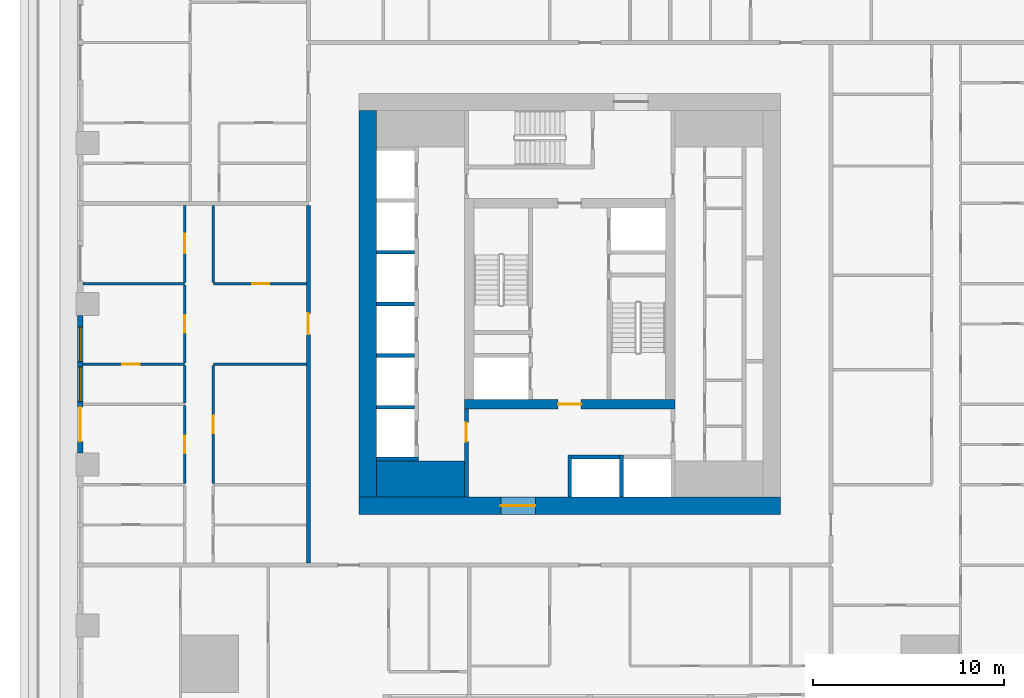
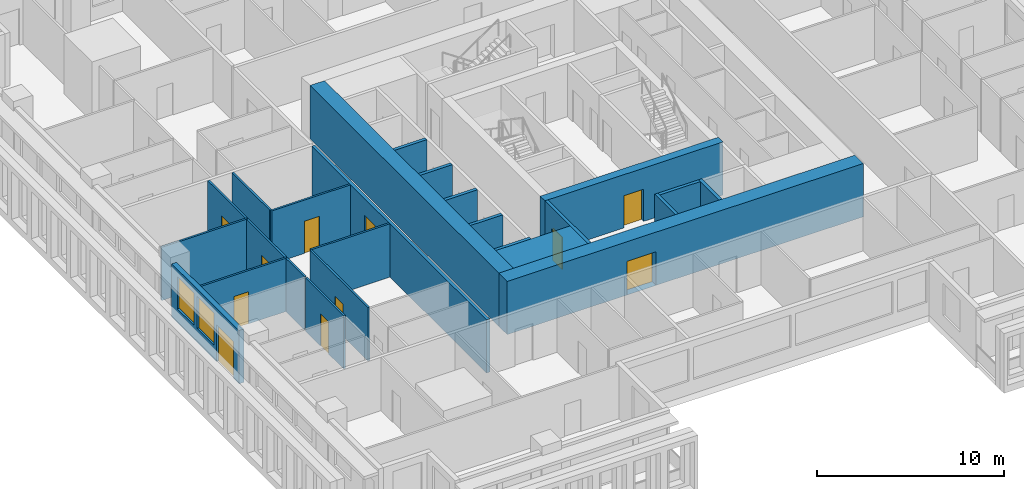
# One storey, part 3 of 15: 25 walls, 11 doors, 2 windows, 13 openings.
"""IFC4 building model written with IfcOpenShell, lengths in metres."""

from ifc_helpers import new_model, si_unit, direction, frame, frame_2d, origin, place, context, subcontext, project, spatial, rectangle, extrude, material, layer, layer_set, type_object, element, fill, save


model = new_model("IFC4")

# Units and contexts
model_context = context("Model", 3, precision=1e-05, world=origin(), true_north=direction((0.0, 1.0)))
body_context = subcontext(model_context, "Body", "Model", "MODEL_VIEW")
ifc_project = project(units=[si_unit("LENGTHUNIT", "METRE"), si_unit("AREAUNIT", "SQUARE_METRE"), si_unit("VOLUMEUNIT", "CUBIC_METRE"), si_unit("PLANEANGLEUNIT", "RADIAN"), si_unit("MASSUNIT", "GRAM", prefix="KILO")], contexts=[model_context])

# Site, building, storey
site_placement = place(None, origin())
site = spatial("IfcSite", under=ifc_project, at=site_placement, CompositionType="ELEMENT")
building_placement = place(site_placement, origin())
building = spatial("IfcBuilding", under=site, at=building_placement, Name="Khepri Terraces", CompositionType="ELEMENT")
storey_placement = place(building_placement, frame((0.0, 0.0, 54.300048828125)))
storey = spatial("IfcBuildingStorey", under=building, at=storey_placement, Name="L12", CompositionType="ELEMENT", Elevation=54.300048828125)

# Walls
ifc_material_1 = material(Name="Concrete C80/95", Category="concrete")
ifc_layer_1 = layer(ifc_material_1, 1.89990234375, Name="Concrete C80/95", Category="concrete")
ifc_layer_set_1 = layer_set([ifc_layer_1], Name="Concrete C80/95")
wall_type_1 = type_object("IfcWallType", Name="Core wall 1900 C80/95", PredefinedType="SHEAR", material=ifc_layer_set_1)
wall_1_placement = place(storey_placement, frame((-10.10009765625, -9.14990234375, 0.0), z_axis=(0.0, 0.0, 1.0), x_axis=(1.0, 0.0, 0.0)))
element("IfcWall", 1, at=wall_1_placement, inside=storey, type_object=wall_type_1, Name="Core wall PR01 L12", PredefinedType="SHEAR", context=body_context, shape_type="SweptSolid", body=[
    extrude(rectangle(XDim=4.60009765625, YDim=1.89990234375, at=frame_2d((2.300048828125, 0.0))), origin(), (0.0, 0.0, 1.0), 3.47998046875),
])
ifc_layer_2 = layer(ifc_material_1, 0.199951171875, Name="Concrete C80/95", Category="concrete")
ifc_layer_set_2 = layer_set([ifc_layer_2], Name="Concrete C80/95")
wall_type_2 = type_object("IfcWallType", Name="Core wall 200 C80/95", PredefinedType="SHEAR", material=ifc_layer_set_2)
for number, where, z_axis, x_axis, name in (
    (2, (0.0, -10.10009765625, 0.0), (0.0, 0.0, 1.0), (0.0, 1.0, 0.0), "Core wall SH01 L12"),
    (3, (2.699951171875, -10.10009765625, 0.0), (0.0, 0.0, 1.0), (0.0, 1.0, 0.0), "Core wall SH02 L12"),
    (4, (-10.10009765625, -8.10009765625, 0.0), (0.0, 0.0, 1.0), (1.0, 0.0, 0.0), "Core wall SH04 L12"),
):
    element("IfcWall", number, at=place(storey_placement, frame(where, z_axis=z_axis, x_axis=x_axis)), inside=storey, type_object=wall_type_2, Name=name, PredefinedType="SHEAR", context=body_context, shape_type="SweptSolid", body=[
        extrude(rectangle(XDim=2.2001953125, YDim=0.199951171875, at=frame_2d((1.10009765625, 0.0))), origin(), (0.0, 0.0, 1.0), 3.47998046875),
    ])
wall_2_placement = place(storey_placement, frame((0.10009765625, -8.0, 0.0), z_axis=(0.0, 0.0, 1.0), x_axis=(1.0, 0.0, 0.0)))
element("IfcWall", 5, at=wall_2_placement, inside=storey, type_object=wall_type_2, Name="Core wall SH06 L12", PredefinedType="SHEAR", context=body_context, shape_type="SweptSolid", body=[
    extrude(rectangle(XDim=2.5, YDim=0.199951171875, at=frame_2d((1.25, 0.0))), origin(), (0.0, 0.0, 1.0), 3.47998046875),
])
for number, where, z_axis, x_axis, name in (
    (6, (-10.10009765625, -5.39990234375, 0.0), (0.0, 0.0, 1.0), (1.0, 0.0, 0.0), "Core wall SH09 L12"),
    (7, (-10.10009765625, -2.699951171875, 0.0), (0.0, 0.0, 1.0), (1.0, 0.0, 0.0), "Core wall SH12 L12"),
    (8, (-10.10009765625, 0.0, 0.0), (0.0, 0.0, 1.0), (1.0, 0.0, 0.0), "Core wall SH14 L12"),
    (9, (-10.10009765625, 2.699951171875, 0.0), (0.0, 0.0, 1.0), (1.0, 0.0, 0.0), "Core wall SH17 L12"),
):
    element("IfcWall", number, at=place(storey_placement, frame(where, z_axis=z_axis, x_axis=x_axis)), inside=storey, type_object=wall_type_2, Name=name, PredefinedType="SHEAR", context=body_context, shape_type="SweptSolid", body=[
        extrude(rectangle(XDim=2.0, YDim=0.199951171875, at=frame_2d((1.0, 0.0))), origin(), (0.0, 0.0, 1.0), 3.47998046875),
    ])

# Wall, opening, door
ifc_layer_3 = layer(ifc_material_1, 0.5, Name="Concrete C80/95", Category="concrete")
ifc_layer_set_3 = layer_set([ifc_layer_3], Name="Concrete C80/95")
wall_type_3 = type_object("IfcWallType", Name="Core wall 500 C80/95", PredefinedType="SHEAR", material=ifc_layer_set_3)
wall_3_placement = place(storey_placement, frame((-5.5, -5.25, 0.0), z_axis=(0.0, 0.0, 1.0), x_axis=(1.0, 0.0, 0.0)))
wall_3 = element("IfcWall", 10, at=wall_3_placement, inside=storey, type_object=wall_type_3, Name="Core wall BX01 L12", PredefinedType="SHEAR", context=body_context, shape_type="SweptSolid", body=[
    extrude(rectangle(XDim=11.0, YDim=0.5, at=frame_2d((5.5, 0.0))), origin(), (0.0, 0.0, 1.0), 3.47998046875),
])
opening_1_placement = place(wall_3_placement, frame((4.89990234375, 0.0, 0.0)))
opening_1 = element("IfcOpeningElement", 11, at=opening_1_placement, cuts=wall_3, Name="Opening L12-C14", PredefinedType="OPENING", context=body_context, shape_type="SweptSolid", body=[
    extrude(rectangle(XDim=1.199951171875, YDim=2.10009765625, at=frame_2d((0.60009765625, 1.050048828125))), frame((0.0, 0.260009765625, 0.0), z_axis=(0.0, -1.0, 0.0), x_axis=(1.0, 0.0, 0.0)), (0.0, 0.0, 1.0), 0.52001953125),
])
ifc_material_2 = material(Name="Painted steel", Category="steel")
door_type_1 = type_object("IfcDoorType", Name="DR-CORE-FF-LOBBY-1200", OperationType="NOTDEFINED", PredefinedType="DOOR", material=ifc_material_2)
door_1_placement = place(opening_1_placement, origin())
door_1 = element("IfcDoor", 12, at=door_1_placement, inside=storey, type_object=door_type_1, Name="Firefighting lobby door L12-C14", OperationType="SINGLE_SWING_RIGHT", OverallHeight=2.10009765625, OverallWidth=1.199951171875, PredefinedType="DOOR", context=body_context, shape_type="SweptSolid", body=[
    extrude(rectangle(XDim=1.199951171875, YDim=2.10009765625, at=frame_2d((0.60009765625, 1.050048828125))), frame((0.0, 0.02490234375, 0.0), z_axis=(0.0, -1.0, 0.0), x_axis=(1.0, 0.0, 0.0)), (0.0, 0.0, 1.0), 0.050048828125),
])
fill(opening_1, door_1)

ifc_layer_4 = layer(ifc_material_1, 0.89990234375, Name="Concrete C80/95", Category="concrete")
ifc_layer_set_4 = layer_set([ifc_layer_4], Name="Concrete C80/95")
wall_type_4 = type_object("IfcWallType", Name="Core wall 900 C80/95", PredefinedType="SHEAR", material=ifc_layer_set_4)
wall_4_placement = place(storey_placement, frame((-11.0, -10.550048828125, 0.0), z_axis=(0.0, 0.0, 1.0), x_axis=(1.0, 0.0, 0.0)))
wall_4 = element("IfcWall", 13, at=wall_4_placement, inside=storey, type_object=wall_type_4, Name="Core wall OW-S L12", PredefinedType="SHEAR", context=body_context, shape_type="SweptSolid", body=[
    extrude(rectangle(XDim=22.0, YDim=0.89990234375, at=frame_2d((11.0, 0.0))), origin(), (0.0, 0.0, 1.0), 3.47998046875),
])
opening_2_placement = place(wall_4_placement, frame((7.39990234375, 0.0, 0.0)))
opening_2 = element("IfcOpeningElement", 14, at=opening_2_placement, cuts=wall_4, Name="Opening L12-C21", PredefinedType="OPENING", context=body_context, shape_type="SweptSolid", body=[
    extrude(rectangle(XDim=1.800048828125, YDim=2.199951171875, at=frame_2d((0.89990234375, 1.10009765625))), frame((0.0, 0.4599609375, 0.0), z_axis=(0.0, -1.0, 0.0), x_axis=(1.0, 0.0, 0.0)), (0.0, 0.0, 1.0), 0.919921875),
])
door_type_2 = type_object("IfcDoorType", Name="DR-CORE-ENTRANCE-1800", OperationType="NOTDEFINED", PredefinedType="DOOR", material=ifc_material_2)
door_2_placement = place(opening_2_placement, frame((1.800048828125, 0.0, 0.0), z_axis=(0.0, 0.0, 1.0), x_axis=(-1.0, 0.0, 0.0)))
door_2 = element("IfcDoor", 15, at=door_2_placement, inside=storey, type_object=door_type_2, Name="Core entrance door pair L12-C21", OperationType="DOUBLE_DOOR_SINGLE_SWING", OverallHeight=2.199951171875, OverallWidth=1.800048828125, PredefinedType="DOOR", context=body_context, shape_type="SweptSolid", body=[
    extrude(rectangle(XDim=1.800048828125, YDim=2.199951171875, at=frame_2d((0.89990234375, 1.10009765625))), frame((0.0, 0.02490234375, 0.0), z_axis=(0.0, -1.0, 0.0), x_axis=(1.0, 0.0, 0.0)), (0.0, 0.0, 1.0), 0.050048828125),
])
fill(opening_2, door_2)

# Wall
wall_5_placement = place(storey_placement, frame((-10.550048828125, -10.10009765625, 0.0), z_axis=(0.0, 0.0, 1.0), x_axis=(0.0, 1.0, 0.0)))
element("IfcWall", 16, at=wall_5_placement, inside=storey, type_object=wall_type_4, Name="Core wall OW-W L12", PredefinedType="SHEAR", context=body_context, shape_type="SweptSolid", body=[
    extrude(rectangle(XDim=20.2001953125, YDim=0.89990234375, at=frame_2d((10.10009765625, 0.0))), origin(), (0.0, 0.0, 1.0), 3.47998046875),
])

# Wall, opening, door
ifc_material_3 = material(Name="Fire-rated gypsum board partition")
ifc_layer_5 = layer(ifc_material_3, 0.199951171875, Name="Fire-rated gypsum board partition")
ifc_layer_set_5 = layer_set([ifc_layer_5], Name="Fire-rated gypsum board partition")
wall_type_5 = type_object("IfcWallType", Name="WL-CORE-PART-200", PredefinedType="PARTITIONING", material=ifc_layer_set_5)
wall_6_placement = place(storey_placement, frame((-5.39990234375, -10.10009765625, 0.0), z_axis=(0.0, 0.0, 1.0), x_axis=(0.0, 1.0, 0.0)))
wall_6 = element("IfcWall", 17, at=wall_6_placement, inside=storey, type_object=wall_type_5, Name="Core partition PT01 L12", PredefinedType="PARTITIONING", context=body_context, shape_type="SweptSolid", body=[
    extrude(rectangle(XDim=4.60009765625, YDim=0.199951171875, at=frame_2d((2.300048828125, 0.0))), origin(), (0.0, 0.0, 1.0), 3.47998046875),
])
opening_3_placement = place(wall_6_placement, frame((2.89990234375, 0.0, 0.0)))
opening_3 = element("IfcOpeningElement", 18, at=opening_3_placement, cuts=wall_6, Name="Opening L12-C18", PredefinedType="OPENING", context=body_context, shape_type="SweptSolid", body=[
    extrude(rectangle(XDim=1.0, YDim=2.10009765625, at=frame_2d((0.5, 1.050048828125))), frame((0.0, 0.10986328125, 0.0), z_axis=(0.0, -1.0, 0.0), x_axis=(1.0, 0.0, 0.0)), (0.0, 0.0, 1.0), 0.219970703125),
])
door_type_3 = type_object("IfcDoorType", Name="DR-CORE-LOBBY-1000", OperationType="NOTDEFINED", PredefinedType="DOOR", material=ifc_material_2)
door_3_placement = place(opening_3_placement, frame((1.0, 0.0, 0.0), z_axis=(0.0, 0.0, 1.0), x_axis=(-1.0, 0.0, 0.0)))
door_3 = element("IfcDoor", 19, at=door_3_placement, inside=storey, type_object=door_type_3, Name="Lobby door L12-C18", OperationType="SINGLE_SWING_LEFT", OverallHeight=2.10009765625, OverallWidth=1.0, PredefinedType="DOOR", context=body_context, shape_type="SweptSolid", body=[
    extrude(rectangle(XDim=1.0, YDim=2.10009765625, at=frame_2d((0.5, 1.050048828125))), frame((0.0, 0.02490234375, 0.0), z_axis=(0.0, -1.0, 0.0), x_axis=(1.0, 0.0, 0.0)), (0.0, 0.0, 1.0), 0.050048828125),
])
fill(opening_3, door_3)

ifc_material_4 = material(Name="Fire-rated gypsum plasterboard partition, mineral wool")
ifc_layer_6 = layer(ifc_material_4, 0.199951171875, Name="Fire-rated gypsum plasterboard partition, mineral wool")
ifc_layer_set_6 = layer_set([ifc_layer_6], Name="Fire-rated gypsum plasterboard partition, mineral wool")
wall_type_6 = type_object("IfcWallType", Name="WL-CORR-200", PredefinedType="PARTITIONING", material=ifc_layer_set_6)
wall_7_placement = place(storey_placement, frame((-13.64990234375, -13.550048828125, 0.0), z_axis=(0.0, 0.0, 1.0), x_axis=(0.0, 1.0, 0.0)))
wall_7 = element("IfcWall", 20, at=wall_7_placement, inside=storey, type_object=wall_type_6, Name="Partition P-025 L12", PredefinedType="PARTITIONING", context=body_context, shape_type="SweptSolid", body=[
    extrude(rectangle(XDim=18.699951171875, YDim=0.199951171875, at=frame_2d((9.35009765625, 0.0))), origin(), (0.0, 0.0, 1.0), 3.47998046875),
])
opening_4_placement = place(wall_7_placement, frame((11.949951171875, 0.0, 0.0)))
opening_4 = element("IfcOpeningElement", 21, at=opening_4_placement, cuts=wall_7, Name="Opening D1", PredefinedType="OPENING", context=body_context, shape_type="SweptSolid", body=[
    extrude(rectangle(XDim=1.10009765625, YDim=2.39990234375, at=frame_2d((0.550048828125, 1.199951171875))), frame((0.0, 0.10986328125, 0.0), z_axis=(0.0, -1.0, 0.0), x_axis=(1.0, 0.0, 0.0)), (0.0, 0.0, 1.0), 0.219970703125),
])
ifc_material_5 = material(Name="Solid-core timber door leaf, flat entrance door", Category="wood")
door_type_4 = type_object("IfcDoorType", Name="DR-ENT-1100", OperationType="NOTDEFINED", PredefinedType="DOOR", material=ifc_material_5)
door_4_placement = place(opening_4_placement, origin())
door_4 = element("IfcDoor", 22, at=door_4_placement, inside=storey, type_object=door_type_4, Name="Flat D2 entrance door", OperationType="SINGLE_SWING_RIGHT", OverallHeight=2.39990234375, OverallWidth=1.10009765625, PredefinedType="DOOR", context=body_context, shape_type="SweptSolid", body=[
    extrude(rectangle(XDim=1.10009765625, YDim=2.39990234375, at=frame_2d((0.550048828125, 1.199951171875))), frame((0.0, 0.02490234375, 0.0), z_axis=(0.0, -1.0, 0.0), x_axis=(1.0, 0.0, 0.0)), (0.0, 0.0, 1.0), 0.050048828125),
])
fill(opening_4, door_4)

# Wall, openings, door, windows
ifc_material_6 = material(Name="Precast concrete C50/60 warm stone", Category="masonry")
ifc_layer_7 = layer(ifc_material_6, 0.300048828125, Name="Precast concrete C50/60 warm stone", Category="masonry")
ifc_layer_set_7 = layer_set([ifc_layer_7], Name="Precast concrete C50/60 warm stone")
wall_type_7 = type_object("IfcWallType", Name="WL-EXT-PRECAST-300", PredefinedType="STANDARD", material=ifc_layer_set_7)
wall_8_placement = place(storey_placement, frame((-25.570068359375, -0.60009765625, 0.0), z_axis=(0.0, 0.0, 1.0), x_axis=(0.0, -1.0, 0.0)))
wall_8 = element("IfcWall", 23, at=wall_8_placement, inside=storey, type_object=wall_type_7, Name="External wall L12 W", PredefinedType="STANDARD", context=body_context, shape_type="SweptSolid", body=[
    extrude(rectangle(XDim=7.199951171875, YDim=0.300048828125, at=frame_2d((3.60009765625, 0.0))), origin(), (0.0, 0.0, 1.0), 3.47998046875),
])
opening_5_placement = place(wall_8_placement, frame((0.60009765625, 0.0, 0.89990234375)))
opening_5 = element("IfcOpeningElement", 24, at=opening_5_placement, cuts=wall_8, Name="Opening W1", PredefinedType="OPENING", context=body_context, shape_type="SweptSolid", body=[
    extrude(rectangle(XDim=1.800048828125, YDim=2.10009765625, at=frame_2d((0.89990234375, 1.050048828125))), frame((0.0, 0.16015625, 0.0), z_axis=(0.0, -1.0, 0.0), x_axis=(1.0, 0.0, 0.0)), (0.0, 0.0, 1.0), 0.320068359375),
])
opening_6_placement = place(wall_8_placement, frame((2.699951171875, 0.0, 0.89990234375)))
opening_6 = element("IfcOpeningElement", 25, at=opening_6_placement, cuts=wall_8, Name="Opening W1", PredefinedType="OPENING", context=body_context, shape_type="SweptSolid", body=[
    extrude(rectangle(XDim=1.800048828125, YDim=2.10009765625, at=frame_2d((0.89990234375, 1.050048828125))), frame((0.0, 0.16015625, 0.0), z_axis=(0.0, -1.0, 0.0), x_axis=(1.0, 0.0, 0.0)), (0.0, 0.0, 1.0), 0.320068359375),
])
opening_7_placement = place(wall_8_placement, frame((4.800048828125, 0.0, 0.0)))
opening_7 = element("IfcOpeningElement", 26, at=opening_7_placement, cuts=wall_8, Name="Opening ED-L12-15", PredefinedType="OPENING", context=body_context, shape_type="SweptSolid", body=[
    extrude(rectangle(XDim=1.800048828125, YDim=2.39990234375, at=frame_2d((0.89990234375, 1.199951171875))), frame((0.0, 0.16015625, 0.0), z_axis=(0.0, -1.0, 0.0), x_axis=(1.0, 0.0, 0.0)), (0.0, 0.0, 1.0), 0.320068359375),
])
ifc_material_7 = material(Name="Anodised aluminium bronze glazed door", Category="aluminium")
door_type_5 = type_object("IfcDoorType", Name="DR-BAL-SLIDE-1800x2400", OperationType="NOTDEFINED", PredefinedType="DOOR", material=ifc_material_7)
door_5_placement = place(opening_7_placement, origin())
door_5 = element("IfcDoor", 27, at=door_5_placement, inside=storey, type_object=door_type_5, Name="Balcony door L12 W", OperationType="SLIDING_TO_RIGHT", OverallHeight=2.39990234375, OverallWidth=1.800048828125, PredefinedType="DOOR", context=body_context, shape_type="SweptSolid", body=[
    extrude(rectangle(XDim=1.800048828125, YDim=2.39990234375, at=frame_2d((0.89990234375, 1.199951171875))), frame((0.0, 0.02490234375, 0.0), z_axis=(0.0, -1.0, 0.0), x_axis=(1.0, 0.0, 0.0)), (0.0, 0.0, 1.0), 0.050048828125),
])
fill(opening_7, door_5)
ifc_material_8 = material(Name="Clear glass", Category="glass")
window_type = type_object("IfcWindowType", Name="WIN-RES-1800x2100", PartitioningType="SINGLE_PANEL", PredefinedType="WINDOW", material=ifc_material_8)
window_1_placement = place(opening_5_placement, origin())
window_1 = element("IfcWindow", 28, at=window_1_placement, inside=storey, type_object=window_type, Name="Window L12 W", OverallHeight=2.10009765625, OverallWidth=1.800048828125, PartitioningType="SINGLE_PANEL", PredefinedType="WINDOW", context=body_context, shape_type="SweptSolid", body=[
    extrude(rectangle(XDim=1.800048828125, YDim=2.10009765625, at=frame_2d((0.89990234375, 1.050048828125))), frame((0.0, 0.030029296875, 0.0), z_axis=(0.0, -1.0, 0.0), x_axis=(1.0, 0.0, 0.0)), (0.0, 0.0, 1.0), 0.06005859375),
])
fill(opening_5, window_1)
window_2_placement = place(opening_6_placement, origin())
window_2 = element("IfcWindow", 29, at=window_2_placement, inside=storey, type_object=window_type, Name="Window L12 W", OverallHeight=2.10009765625, OverallWidth=1.800048828125, PartitioningType="SINGLE_PANEL", PredefinedType="WINDOW", context=body_context, shape_type="SweptSolid", body=[
    extrude(rectangle(XDim=1.800048828125, YDim=2.10009765625, at=frame_2d((0.89990234375, 1.050048828125))), frame((0.0, 0.030029296875, 0.0), z_axis=(0.0, -1.0, 0.0), x_axis=(1.0, 0.0, 0.0)), (0.0, 0.0, 1.0), 0.06005859375),
])
fill(opening_6, window_2)

# Wall, opening, door
ifc_material_9 = material(Name="Gypsum plasterboard partition")
ifc_layer_8 = layer(ifc_material_9, 0.1201171875, Name="Gypsum plasterboard partition")
ifc_layer_set_8 = layer_set([ifc_layer_8], Name="Gypsum plasterboard partition")
wall_type_8 = type_object("IfcWallType", Name="WL-PART-120", PredefinedType="PARTITIONING", material=ifc_layer_set_8)
wall_9_placement = place(storey_placement, frame((-20.1201171875, -9.389892578125, 0.0), z_axis=(0.0, 0.0, 1.0), x_axis=(0.0, 1.0, 0.0)))
wall_9 = element("IfcWall", 30, at=wall_9_placement, inside=storey, type_object=wall_type_8, Name="Partition P-035 L12", PredefinedType="PARTITIONING", context=body_context, shape_type="SweptSolid", body=[
    extrude(rectangle(XDim=4.079833984375, YDim=0.1201171875, at=frame_2d((2.0400390625, 0.0))), origin(), (0.0, 0.0, 1.0), 3.47998046875),
])
opening_8_placement = place(wall_9_placement, frame((1.590087890625, 0.0, 0.0)))
opening_8 = element("IfcOpeningElement", 31, at=opening_8_placement, cuts=wall_9, Name="Opening D3", PredefinedType="OPENING", context=body_context, shape_type="SweptSolid", body=[
    extrude(rectangle(XDim=0.89990234375, YDim=2.10009765625, at=frame_2d((0.449951171875, 1.050048828125))), frame((0.0, 0.070068359375, 0.0), z_axis=(0.0, -1.0, 0.0), x_axis=(1.0, 0.0, 0.0)), (0.0, 0.0, 1.0), 0.14013671875),
])
ifc_material_10 = material(Name="Timber door leaf", Category="wood")
door_type_6 = type_object("IfcDoorType", Name="DR-INT-900", OperationType="NOTDEFINED", PredefinedType="DOOR", material=ifc_material_10)
door_6_placement = place(opening_8_placement, origin())
door_6 = element("IfcDoor", 32, at=door_6_placement, inside=storey, type_object=door_type_6, Name="Door Master Bedroom", OperationType="SINGLE_SWING_RIGHT", OverallHeight=2.10009765625, OverallWidth=0.89990234375, PredefinedType="DOOR", context=body_context, shape_type="SweptSolid", body=[
    extrude(rectangle(XDim=0.89990234375, YDim=2.10009765625, at=frame_2d((0.449951171875, 1.050048828125))), frame((0.0, 0.02490234375, 0.0), z_axis=(0.0, -1.0, 0.0), x_axis=(1.0, 0.0, 0.0)), (0.0, 0.0, 1.0), 0.050048828125),
])
fill(opening_8, door_6)

wall_10_placement = place(storey_placement, frame((-18.6201171875, -9.389892578125, 0.0), z_axis=(0.0, 0.0, 1.0), x_axis=(0.0, 1.0, 0.0)))
wall_10 = element("IfcWall", 33, at=wall_10_placement, inside=storey, type_object=wall_type_8, Name="Partition P-036 L12", PredefinedType="PARTITIONING", context=body_context, shape_type="SweptSolid", body=[
    extrude(rectangle(XDim=6.179931640625, YDim=0.1201171875, at=frame_2d((3.08984375, 0.0))), origin(), (0.0, 0.0, 1.0), 3.47998046875),
])
opening_9_placement = place(wall_10_placement, frame((2.639892578125, 0.0, 0.0)))
opening_9 = element("IfcOpeningElement", 34, at=opening_9_placement, cuts=wall_10, Name="Opening D3", PredefinedType="OPENING", context=body_context, shape_type="SweptSolid", body=[
    extrude(rectangle(XDim=0.89990234375, YDim=2.10009765625, at=frame_2d((0.449951171875, 1.050048828125))), frame((0.0, 0.070068359375, 0.0), z_axis=(0.0, -1.0, 0.0), x_axis=(1.0, 0.0, 0.0)), (0.0, 0.0, 1.0), 0.14013671875),
])
door_7_placement = place(opening_9_placement, frame((0.89990234375, 0.0, 0.0), z_axis=(0.0, 0.0, 1.0), x_axis=(-1.0, 0.0, 0.0)))
door_7 = element("IfcDoor", 35, at=door_7_placement, inside=storey, type_object=door_type_6, Name="Door Kitchen", OperationType="SINGLE_SWING_LEFT", OverallHeight=2.10009765625, OverallWidth=0.89990234375, PredefinedType="DOOR", context=body_context, shape_type="SweptSolid", body=[
    extrude(rectangle(XDim=0.89990234375, YDim=2.10009765625, at=frame_2d((0.449951171875, 1.050048828125))), frame((0.0, 0.02490234375, 0.0), z_axis=(0.0, -1.0, 0.0), x_axis=(1.0, 0.0, 0.0)), (0.0, 0.0, 1.0), 0.050048828125),
])
fill(opening_9, door_7)

# Wall
wall_11_placement = place(storey_placement, frame((-20.1201171875, -5.18994140625, 0.0), z_axis=(0.0, 0.0, 1.0), x_axis=(0.0, 1.0, 0.0)))
element("IfcWall", 36, at=wall_11_placement, inside=storey, type_object=wall_type_8, Name="Partition P-043 L12", PredefinedType="PARTITIONING", context=body_context, shape_type="SweptSolid", body=[
    extrude(rectangle(XDim=1.97998046875, YDim=0.1201171875, at=frame_2d((0.989990234375, 0.0))), origin(), (0.0, 0.0, 1.0), 3.47998046875),
])

# Wall, opening, door
wall_12_placement = place(storey_placement, frame((-25.419921875, -3.14990234375, 0.0), z_axis=(0.0, 0.0, 1.0), x_axis=(1.0, 0.0, 0.0)))
wall_12 = element("IfcWall", 37, at=wall_12_placement, inside=storey, type_object=wall_type_8, Name="Partition P-047 L12", PredefinedType="PARTITIONING", context=body_context, shape_type="SweptSolid", body=[
    extrude(rectangle(XDim=5.2998046875, YDim=0.1201171875, at=frame_2d((2.64990234375, 0.0))), origin(), (0.0, 0.0, 1.0), 3.47998046875),
])
opening_10_placement = place(wall_12_placement, frame((2.050048828125, 0.0, 0.0)))
opening_10 = element("IfcOpeningElement", 38, at=opening_10_placement, cuts=wall_12, Name="Opening D4", PredefinedType="OPENING", context=body_context, shape_type="SweptSolid", body=[
    extrude(rectangle(XDim=0.89990234375, YDim=2.10009765625, at=frame_2d((0.449951171875, 1.050048828125))), frame((0.0, 0.070068359375, 0.0), z_axis=(0.0, -1.0, 0.0), x_axis=(1.0, 0.0, 0.0)), (0.0, 0.0, 1.0), 0.14013671875),
])
ifc_material_11 = material(Name="Timber door leaf, moisture resistant", Category="wood")
door_type_7 = type_object("IfcDoorType", Name="DR-WET-900", OperationType="NOTDEFINED", PredefinedType="DOOR", material=ifc_material_11)
door_8_placement = place(opening_10_placement, frame((0.89990234375, 0.0, 0.0), z_axis=(0.0, 0.0, 1.0), x_axis=(-1.0, 0.0, 0.0)))
door_8 = element("IfcDoor", 39, at=door_8_placement, inside=storey, type_object=door_type_7, Name="Door Bathroom", OperationType="SINGLE_SWING_RIGHT", OverallHeight=2.10009765625, OverallWidth=0.89990234375, PredefinedType="DOOR", context=body_context, shape_type="SweptSolid", body=[
    extrude(rectangle(XDim=0.89990234375, YDim=2.10009765625, at=frame_2d((0.449951171875, 1.050048828125))), frame((0.0, 0.02490234375, 0.0), z_axis=(0.0, -1.0, 0.0), x_axis=(1.0, 0.0, 0.0)), (0.0, 0.0, 1.0), 0.050048828125),
])
fill(opening_10, door_8)

# Wall
wall_13_placement = place(storey_placement, frame((-18.6201171875, -3.14990234375, 0.0), z_axis=(0.0, 0.0, 1.0), x_axis=(1.0, 0.0, 0.0)))
element("IfcWall", 40, at=wall_13_placement, inside=storey, type_object=wall_type_8, Name="Partition P-048 L12", PredefinedType="PARTITIONING", context=body_context, shape_type="SweptSolid", body=[
    extrude(rectangle(XDim=4.8701171875, YDim=0.1201171875, at=frame_2d((2.43505859375, 0.0))), origin(), (0.0, 0.0, 1.0), 3.47998046875),
])

# Wall, opening, door
wall_14_placement = place(storey_placement, frame((-20.1201171875, -3.090087890625, 0.0), z_axis=(0.0, 0.0, 1.0), x_axis=(0.0, 1.0, 0.0)))
wall_14 = element("IfcWall", 41, at=wall_14_placement, inside=storey, type_object=wall_type_8, Name="Partition P-049 L12", PredefinedType="PARTITIONING", context=body_context, shape_type="SweptSolid", body=[
    extrude(rectangle(XDim=4.080078125, YDim=0.1201171875, at=frame_2d((2.0400390625, 0.0))), origin(), (0.0, 0.0, 1.0), 3.47998046875),
])
opening_11_placement = place(wall_14_placement, frame((1.590087890625, 0.0, 0.0)))
opening_11 = element("IfcOpeningElement", 42, at=opening_11_placement, cuts=wall_14, Name="Opening D3", PredefinedType="OPENING", context=body_context, shape_type="SweptSolid", body=[
    extrude(rectangle(XDim=0.89990234375, YDim=2.10009765625, at=frame_2d((0.449951171875, 1.050048828125))), frame((0.0, 0.070068359375, 0.0), z_axis=(0.0, -1.0, 0.0), x_axis=(1.0, 0.0, 0.0)), (0.0, 0.0, 1.0), 0.14013671875),
])
door_9_placement = place(opening_11_placement, origin())
door_9 = element("IfcDoor", 43, at=door_9_placement, inside=storey, type_object=door_type_6, Name="Door Bedroom", OperationType="SINGLE_SWING_RIGHT", OverallHeight=2.10009765625, OverallWidth=0.89990234375, PredefinedType="DOOR", context=body_context, shape_type="SweptSolid", body=[
    extrude(rectangle(XDim=0.89990234375, YDim=2.10009765625, at=frame_2d((0.449951171875, 1.050048828125))), frame((0.0, 0.02490234375, 0.0), z_axis=(0.0, -1.0, 0.0), x_axis=(1.0, 0.0, 0.0)), (0.0, 0.0, 1.0), 0.050048828125),
])
fill(opening_11, door_9)

# Wall
wall_15_placement = place(storey_placement, frame((-25.419921875, 1.050048828125, 0.0), z_axis=(0.0, 0.0, 1.0), x_axis=(1.0, 0.0, 0.0)))
element("IfcWall", 44, at=wall_15_placement, inside=storey, type_object=wall_type_8, Name="Partition P-052 L12", PredefinedType="PARTITIONING", context=body_context, shape_type="SweptSolid", body=[
    extrude(rectangle(XDim=5.2998046875, YDim=0.1201171875, at=frame_2d((2.64990234375, 0.0))), origin(), (0.0, 0.0, 1.0), 3.47998046875),
])

# Wall, opening, door
wall_16_placement = place(storey_placement, frame((-18.6201171875, 1.050048828125, 0.0), z_axis=(0.0, 0.0, 1.0), x_axis=(1.0, 0.0, 0.0)))
wall_16 = element("IfcWall", 45, at=wall_16_placement, inside=storey, type_object=wall_type_8, Name="Partition P-053 L12", PredefinedType="PARTITIONING", context=body_context, shape_type="SweptSolid", body=[
    extrude(rectangle(XDim=4.8701171875, YDim=0.1201171875, at=frame_2d((2.43505859375, 0.0))), origin(), (0.0, 0.0, 1.0), 3.47998046875),
])
opening_12_placement = place(wall_16_placement, frame((2.034912109375, 0.0, 0.0)))
opening_12 = element("IfcOpeningElement", 46, at=opening_12_placement, cuts=wall_16, Name="Opening D3", PredefinedType="OPENING", context=body_context, shape_type="SweptSolid", body=[
    extrude(rectangle(XDim=0.89990234375, YDim=2.10009765625, at=frame_2d((0.449951171875, 1.050048828125))), frame((0.0, 0.070068359375, 0.0), z_axis=(0.0, -1.0, 0.0), x_axis=(1.0, 0.0, 0.0)), (0.0, 0.0, 1.0), 0.14013671875),
])
door_10_placement = place(opening_12_placement, origin())
door_10 = element("IfcDoor", 47, at=door_10_placement, inside=storey, type_object=door_type_6, Name="Door Staff Bedroom", OperationType="SINGLE_SWING_RIGHT", OverallHeight=2.10009765625, OverallWidth=0.89990234375, PredefinedType="DOOR", context=body_context, shape_type="SweptSolid", body=[
    extrude(rectangle(XDim=0.89990234375, YDim=2.10009765625, at=frame_2d((0.449951171875, 1.050048828125))), frame((0.0, 0.02490234375, 0.0), z_axis=(0.0, -1.0, 0.0), x_axis=(1.0, 0.0, 0.0)), (0.0, 0.0, 1.0), 0.050048828125),
])
fill(opening_12, door_10)

wall_17_placement = place(storey_placement, frame((-20.1201171875, 1.110107421875, 0.0), z_axis=(0.0, 0.0, 1.0), x_axis=(0.0, 1.0, 0.0)))
wall_17 = element("IfcWall", 48, at=wall_17_placement, inside=storey, type_object=wall_type_8, Name="Partition P-055 L12", PredefinedType="PARTITIONING", context=body_context, shape_type="SweptSolid", body=[
    extrude(rectangle(XDim=4.039794921875, YDim=0.1201171875, at=frame_2d((2.02001953125, 0.0))), origin(), (0.0, 0.0, 1.0), 3.47998046875),
])
opening_13_placement = place(wall_17_placement, frame((1.5400390625, 0.0, 0.0)))
opening_13 = element("IfcOpeningElement", 49, at=opening_13_placement, cuts=wall_17, Name="Opening D2", PredefinedType="OPENING", context=body_context, shape_type="SweptSolid", body=[
    extrude(rectangle(XDim=1.0, YDim=2.10009765625, at=frame_2d((0.5, 1.050048828125))), frame((0.0, 0.070068359375, 0.0), z_axis=(0.0, -1.0, 0.0), x_axis=(1.0, 0.0, 0.0)), (0.0, 0.0, 1.0), 0.14013671875),
])
ifc_material_12 = material(Name="Timber door leaf, living room door", Category="wood")
door_type_8 = type_object("IfcDoorType", Name="DR-INT-1000", OperationType="NOTDEFINED", PredefinedType="DOOR", material=ifc_material_12)
door_11_placement = place(opening_13_placement, origin())
door_11 = element("IfcDoor", 50, at=door_11_placement, inside=storey, type_object=door_type_8, Name="Door Living Room", OperationType="SINGLE_SWING_RIGHT", OverallHeight=2.10009765625, OverallWidth=1.0, PredefinedType="DOOR", context=body_context, shape_type="SweptSolid", body=[
    extrude(rectangle(XDim=1.0, YDim=2.10009765625, at=frame_2d((0.5, 1.050048828125))), frame((0.0, 0.02490234375, 0.0), z_axis=(0.0, -1.0, 0.0), x_axis=(1.0, 0.0, 0.0)), (0.0, 0.0, 1.0), 0.050048828125),
])
fill(opening_13, door_11)

# Wall
wall_18_placement = place(storey_placement, frame((-18.6201171875, 1.110107421875, 0.0), z_axis=(0.0, 0.0, 1.0), x_axis=(0.0, 1.0, 0.0)))
element("IfcWall", 51, at=wall_18_placement, inside=storey, type_object=wall_type_8, Name="Partition P-056 L12", PredefinedType="PARTITIONING", context=body_context, shape_type="SweptSolid", body=[
    extrude(rectangle(XDim=4.039794921875, YDim=0.1201171875, at=frame_2d((2.02001953125, 0.0))), origin(), (0.0, 0.0, 1.0), 3.47998046875),
])

save(model, "model.ifc")
